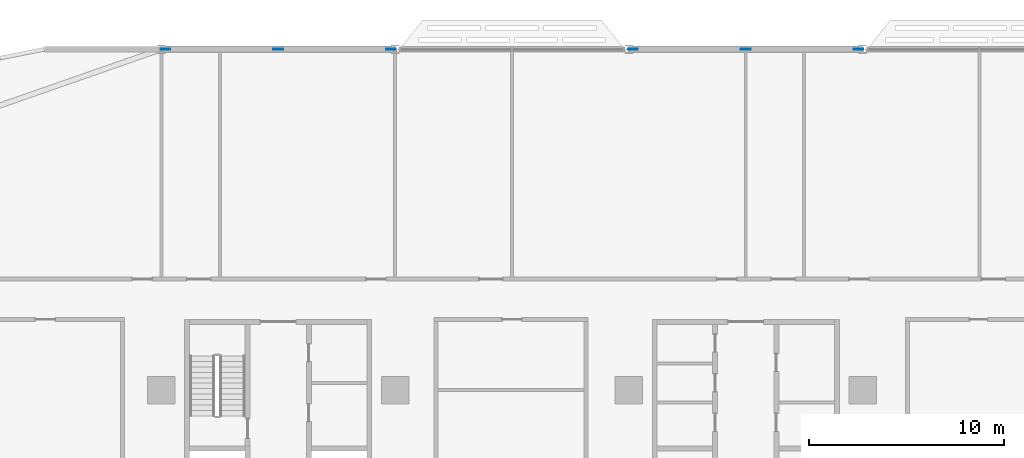
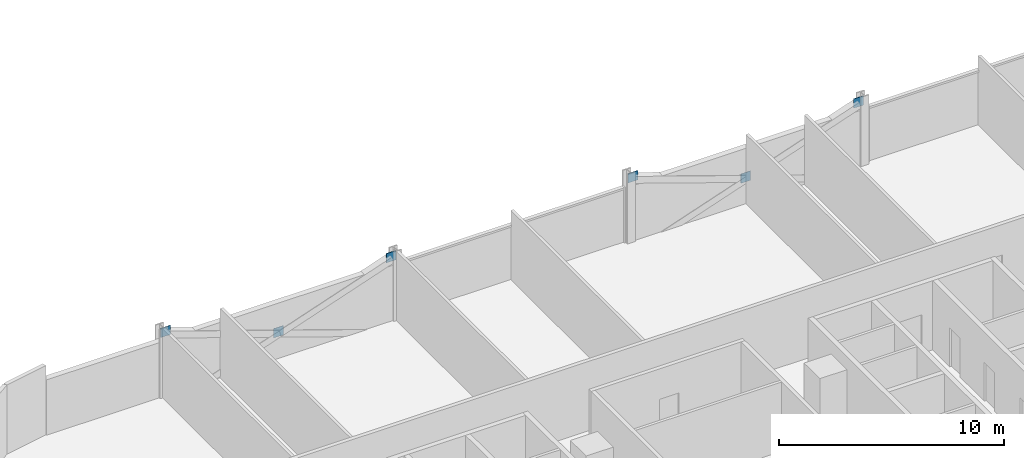
# One storey, part 20 of 29: 6 discrete accessories.
"""IFC4 building model written with IfcOpenShell, lengths in metres."""

from ifc_helpers import new_model, si_unit, direction, frame, origin, origin_2d, place, context, subcontext, project, spatial, rectangle, extrude, material, layer, layer_set, type_object, element, save


model = new_model("IFC4")

# Units and contexts
model_context = context("Model", 3, precision=1e-05, world=origin(), true_north=direction((0.0, 1.0)))
body_context = subcontext(model_context, "Body", "Model", "MODEL_VIEW")
ifc_project = project(units=[si_unit("LENGTHUNIT", "METRE"), si_unit("AREAUNIT", "SQUARE_METRE"), si_unit("VOLUMEUNIT", "CUBIC_METRE"), si_unit("PLANEANGLEUNIT", "RADIAN"), si_unit("MASSUNIT", "GRAM", prefix="KILO")], contexts=[model_context])

# Site, building, storey
site_placement = place(None, origin())
site = spatial("IfcSite", under=ifc_project, at=site_placement, CompositionType="ELEMENT")
building_placement = place(site_placement, origin())
building = spatial("IfcBuilding", under=site, at=building_placement, Name="Mahtab Terrace Research Tower", CompositionType="ELEMENT")
storey_placement = place(building_placement, frame((0.0, 0.0, 93.0)))
storey = spatial("IfcBuildingStorey", under=building, at=storey_placement, Name="L21", CompositionType="ELEMENT", Elevation=93.0)

# Discrete accessories
ifc_material = material(Name="Steel ASTM A992 Gr 50", Category="steel")
ifc_layer = layer(ifc_material, 0.030029296875)
ifc_layer_set = layer_set([ifc_layer], Name="Gusset plate 500x500x30")
discrete_accessory_type = type_object("IfcDiscreteAccessoryType", Name="Gusset plate 500x500x30", PredefinedType="USERDEFINED", material=ifc_layer_set)
for number, where, z_axis, x_axis, name in (
    (1, (-29.790283203125, 29.0, 3.131591796875), (0.0, 0.0, 1.0), (1.0, 0.0, 0.0), "Gusset plate"),
    (2, (-24.0, 29.0, 1.08154296875), (0.0, 0.0, 1.0), (1.0, 0.0, 0.0), "Gusset plate"),
    (3, (-18.209716796875, 29.0, 3.131591796875), (0.0, 0.0, 1.0), (1.0, 0.0, 0.0), "Gusset plate"),
    (4, (-5.790283203125, 29.0, 3.131591796875), (0.0, 0.0, 1.0), (1.0, 0.0, 0.0), "Gusset plate"),
    (5, (0.0, 29.0, 1.08154296875), (0.0, 0.0, 1.0), (1.0, 0.0, 0.0), "Gusset plate"),
    (6, (5.790283203125, 29.0, 3.131591796875), (0.0, 0.0, 1.0), (1.0, 0.0, 0.0), "Gusset plate"),
):
    element("IfcDiscreteAccessory", number, at=place(storey_placement, frame(where, z_axis=z_axis, x_axis=x_axis)), inside=storey, type_object=discrete_accessory_type, Name=name, ObjectType="GUSSET PLATE", PredefinedType="USERDEFINED", context=body_context, shape_type="SweptSolid", body=[
        extrude(rectangle(XDim=0.5, YDim=0.030029296875, at=origin_2d()), origin(), (0.0, 0.0, 1.0), 0.5),
    ])

save(model, "model.ifc")
